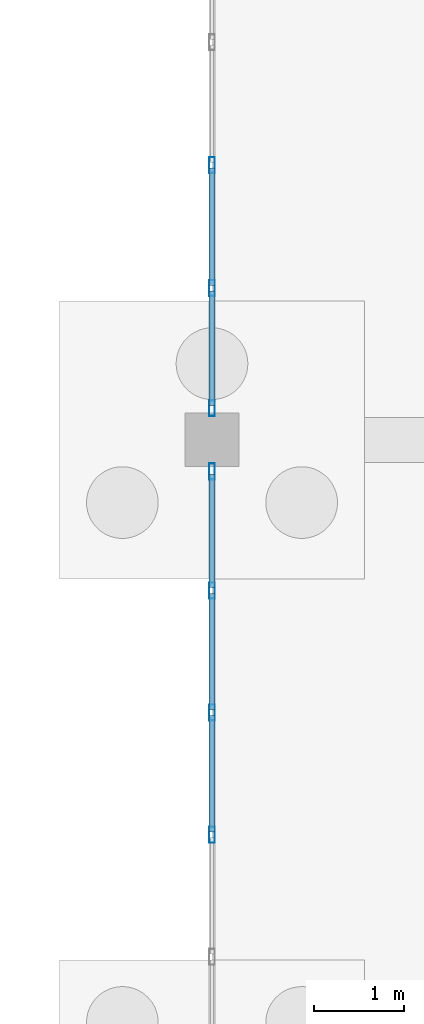
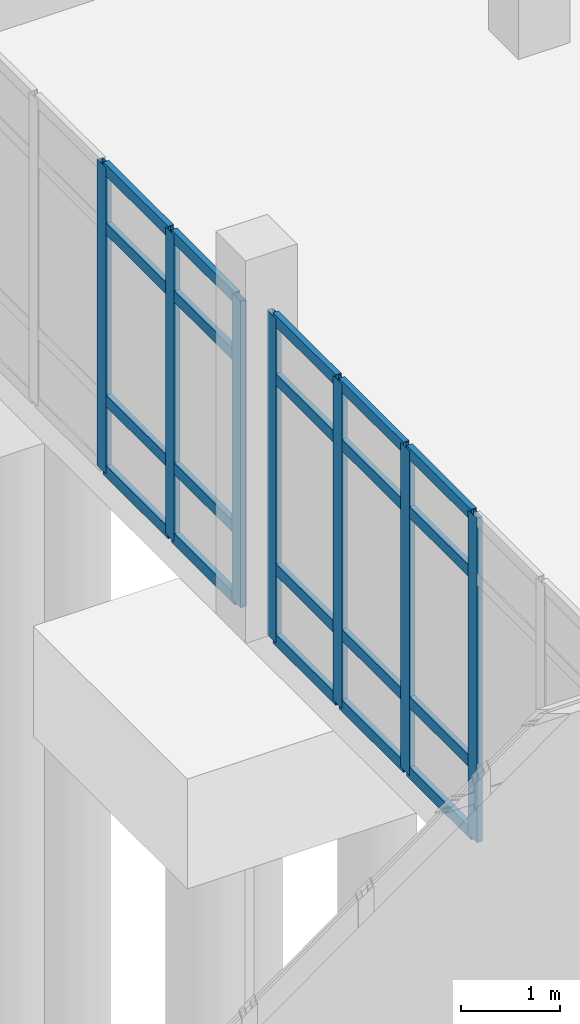
# One storey, part 43 of 173: 27 members, 2 elements without a shape of their own.
"""IFC4 building model written with IfcOpenShell, lengths in metres."""

from ifc_helpers import new_model, si_unit, direction, frame, origin, origin_2d, place, context, subcontext, project, spatial, hollow_rectangle, extrude, material, layer, layer_set, material_profile, profile_set, type_object, element, aggregate, save


model = new_model("IFC4")

# Units and contexts
model_context = context("Model", 3, precision=1e-05, world=origin(), true_north=direction((0.0, 1.0)))
body_context = subcontext(model_context, "Body", "Model", "MODEL_VIEW")
ifc_project = project(units=[si_unit("LENGTHUNIT", "METRE"), si_unit("AREAUNIT", "SQUARE_METRE"), si_unit("VOLUMEUNIT", "CUBIC_METRE"), si_unit("PLANEANGLEUNIT", "RADIAN"), si_unit("MASSUNIT", "GRAM", prefix="KILO")], contexts=[model_context])

# Site, building, storey
site_placement = place(None, origin())
site = spatial("IfcSite", under=ifc_project, at=site_placement, CompositionType="ELEMENT")
building_placement = place(site_placement, origin())
building = spatial("IfcBuilding", under=site, at=building_placement, Name="Mawjan Specialist Oncology Clinic", CompositionType="ELEMENT")
storey_placement = place(building_placement, origin())
storey = spatial("IfcBuildingStorey", under=building, at=storey_placement, Name="L00", CompositionType="ELEMENT", Elevation=0.0)

# Curtain wall, members
ifc_material_1 = material(Name="Unitised spectrally selective aluminium curtain wall", Category="aluminium")
ifc_layer_1 = layer(ifc_material_1, 0.179931640625, Name="Unitised spectrally selective aluminium curtain wall", Category="aluminium")
ifc_layer_set_1 = layer_set([ifc_layer_1], Name="Unitised spectrally selective aluminium curtain wall")
curtain_wall_type_1 = type_object("IfcCurtainWallType", Name="CW-01", PredefinedType="NOTDEFINED", material=ifc_layer_set_1)
curtain_wall_1_placement = place(storey_placement, origin())
curtain_wall_1 = element("IfcCurtainWall", 1, at=curtain_wall_1_placement, inside=storey, type_object=curtain_wall_type_1, Name="L00 Unitised Curtain Wall CW-L00-058", PredefinedType="NOTDEFINED")
ifc_material_2 = material(Name="Thermally broken aluminium 6063-T6", Category="aluminium")
ifc_material_profile_1 = material_profile(ifc_material_2, hollow_rectangle(XDim=0.06494140625, YDim=0.179931640625, WallThickness=0.00390625, at=origin_2d()), Name="ALU MULLION 180x65x4", Category="aluminium")
ifc_profile_set_1 = profile_set([ifc_material_profile_1], Name="Thermally broken aluminium 6063-T6")
member_type_1 = type_object("IfcMemberType", Name="CW-M180", PredefinedType="MULLION", material=ifc_profile_set_1)
member_1_placement = place(storey_placement, frame((30.0, 48.89404296875, 0.0), z_axis=(0.0, 0.0, 1.0), x_axis=(-1.0, 0.0, 0.0)))
member_1 = element("IfcMember", 2, at=member_1_placement, type_object=member_type_1, Name="CW-01 mullion 3", PredefinedType="MULLION", context=body_context, shape_type="SweptSolid", body=[
    extrude(hollow_rectangle(XDim=0.06494140625, YDim=0.179931640625, WallThickness=0.00390625, at=origin_2d()), origin(), (0.0, 0.0, 1.0), 3.985107421875),
])
member_2_placement = place(storey_placement, frame((30.0, 50.256103515625, 0.0), z_axis=(0.0, 0.0, 1.0), x_axis=(-1.0, 0.0, 0.0)))
member_2 = element("IfcMember", 3, at=member_2_placement, type_object=member_type_1, Name="CW-01 mullion 4", PredefinedType="MULLION", context=body_context, shape_type="SweptSolid", body=[
    extrude(hollow_rectangle(XDim=0.06494140625, YDim=0.179931640625, WallThickness=0.00390625, at=origin_2d()), origin(), (0.0, 0.0, 1.0), 3.985107421875),
])
member_3_placement = place(storey_placement, frame((30.0, 51.617919921875, 0.0), z_axis=(0.0, 0.0, 1.0), x_axis=(-1.0, 0.0, 0.0)))
member_3 = element("IfcMember", 4, at=member_3_placement, type_object=member_type_1, Name="CW-01 mullion 5", PredefinedType="MULLION", context=body_context, shape_type="SweptSolid", body=[
    extrude(hollow_rectangle(XDim=0.06494140625, YDim=0.179931640625, WallThickness=0.00390625, at=origin_2d()), origin(), (0.0, 0.0, 1.0), 3.985107421875),
])
member_4_placement = place(storey_placement, frame((30.0, 52.947509765625, 0.0), z_axis=(0.0, 0.0, 1.0), x_axis=(-1.0, 0.0, 0.0)))
member_4 = element("IfcMember", 5, at=member_4_placement, type_object=member_type_1, Name="CW-01 mullion 6", PredefinedType="MULLION", context=body_context, shape_type="SweptSolid", body=[
    extrude(hollow_rectangle(XDim=0.06494140625, YDim=0.179931640625, WallThickness=0.00390625, at=origin_2d()), origin(), (0.0, 0.0, 1.0), 3.985107421875),
])

ifc_material_3 = material(Name="Unitised spectrally selective aluminium curtain wall", Category="aluminium")
ifc_layer_2 = layer(ifc_material_3, 0.179931640625, Name="Unitised spectrally selective aluminium curtain wall", Category="aluminium")
ifc_layer_set_2 = layer_set([ifc_layer_2], Name="Unitised spectrally selective aluminium curtain wall")
curtain_wall_type_2 = type_object("IfcCurtainWallType", Name="CW-05", PredefinedType="NOTDEFINED", material=ifc_layer_set_2)
curtain_wall_2_placement = place(storey_placement, origin())
curtain_wall_2 = element("IfcCurtainWall", 6, at=curtain_wall_2_placement, inside=storey, type_object=curtain_wall_type_2, Name="L00 Unitised Curtain Wall CW-L00-059", PredefinedType="NOTDEFINED")
member_5_placement = place(storey_placement, frame((30.0, 53.652587890625, 0.0), z_axis=(0.0, 0.0, 1.0), x_axis=(-1.0, 0.0, 0.0)))
member_5 = element("IfcMember", 7, at=member_5_placement, type_object=member_type_1, Name="CW-05 mullion 1", PredefinedType="MULLION", context=body_context, shape_type="SweptSolid", body=[
    extrude(hollow_rectangle(XDim=0.06494140625, YDim=0.179931640625, WallThickness=0.00390625, at=origin_2d()), origin(), (0.0, 0.0, 1.0), 3.764892578125),
])
member_6_placement = place(storey_placement, frame((30.0, 54.991943359375, 0.0), z_axis=(0.0, 0.0, 1.0), x_axis=(-1.0, 0.0, 0.0)))
member_6 = element("IfcMember", 8, at=member_6_placement, type_object=member_type_1, Name="CW-05 mullion 2", PredefinedType="MULLION", context=body_context, shape_type="SweptSolid", body=[
    extrude(hollow_rectangle(XDim=0.06494140625, YDim=0.179931640625, WallThickness=0.00390625, at=origin_2d()), origin(), (0.0, 0.0, 1.0), 3.764892578125),
])
member_7_placement = place(storey_placement, frame((30.0, 56.364013671875, 0.0), z_axis=(0.0, 0.0, 1.0), x_axis=(-1.0, 0.0, 0.0)))
member_7 = element("IfcMember", 9, at=member_7_placement, type_object=member_type_1, Name="CW-05 mullion 3", PredefinedType="MULLION", context=body_context, shape_type="SweptSolid", body=[
    extrude(hollow_rectangle(XDim=0.06494140625, YDim=0.179931640625, WallThickness=0.00390625, at=origin_2d()), origin(), (0.0, 0.0, 1.0), 3.764892578125),
])

# Member
ifc_material_4 = material(Name="Thermally broken aluminium 6063-T6", Category="aluminium")
ifc_material_profile_2 = material_profile(ifc_material_4, hollow_rectangle(XDim=0.06494140625, YDim=0.139892578125, WallThickness=0.00390625, at=origin_2d()), Name="ALU TRANSOM 140x65x4", Category="aluminium")
ifc_profile_set_2 = profile_set([ifc_material_profile_2], Name="Thermally broken aluminium 6063-T6")
member_type_2 = type_object("IfcMemberType", Name="CW-T140", PredefinedType="USERDEFINED", material=ifc_profile_set_2)
member_8_placement = place(storey_placement, frame((30.0, 48.926513671875, 0.032470703125), z_axis=(0.0, 1.0, 0.0), x_axis=(-1.0, 0.0, 0.0)))
member_8 = element("IfcMember", 10, at=member_8_placement, type_object=member_type_2, Name="CW-01 transom 3.1", ObjectType="TRANSOM", PredefinedType="USERDEFINED", context=body_context, shape_type="SweptSolid", body=[
    extrude(hollow_rectangle(XDim=0.06494140625, YDim=0.139892578125, WallThickness=0.00390625, at=origin_2d()), origin(), (0.0, 0.0, 1.0), 1.296875),
])

member_9_placement = place(storey_placement, frame((30.0, 48.926513671875, 0.89990234375), z_axis=(0.0, 1.0, 0.0), x_axis=(-1.0, 0.0, 0.0)))
member_9 = element("IfcMember", 11, at=member_9_placement, type_object=member_type_2, Name="CW-01 transom 3.2", ObjectType="TRANSOM", PredefinedType="USERDEFINED", context=body_context, shape_type="SweptSolid", body=[
    extrude(hollow_rectangle(XDim=0.06494140625, YDim=0.139892578125, WallThickness=0.00390625, at=origin_2d()), origin(), (0.0, 0.0, 1.0), 1.296875),
])

member_10_placement = place(storey_placement, frame((30.0, 48.926513671875, 3.235107421875), z_axis=(0.0, 1.0, 0.0), x_axis=(-1.0, 0.0, 0.0)))
member_10 = element("IfcMember", 12, at=member_10_placement, type_object=member_type_2, Name="CW-01 transom 3.3", ObjectType="TRANSOM", PredefinedType="USERDEFINED", context=body_context, shape_type="SweptSolid", body=[
    extrude(hollow_rectangle(XDim=0.06494140625, YDim=0.139892578125, WallThickness=0.00390625, at=origin_2d()), origin(), (0.0, 0.0, 1.0), 1.296875),
])

member_11_placement = place(storey_placement, frame((30.0, 48.926513671875, 3.952392578125), z_axis=(0.0, 1.0, 0.0), x_axis=(-1.0, 0.0, 0.0)))
member_11 = element("IfcMember", 13, at=member_11_placement, type_object=member_type_2, Name="CW-01 transom 3.4", ObjectType="TRANSOM", PredefinedType="USERDEFINED", context=body_context, shape_type="SweptSolid", body=[
    extrude(hollow_rectangle(XDim=0.06494140625, YDim=0.139892578125, WallThickness=0.00390625, at=origin_2d()), origin(), (0.0, 0.0, 1.0), 1.296875),
])

member_12_placement = place(storey_placement, frame((30.0, 50.28857421875, 0.032470703125), z_axis=(0.0, 1.0, 0.0), x_axis=(-1.0, 0.0, 0.0)))
member_12 = element("IfcMember", 14, at=member_12_placement, type_object=member_type_2, Name="CW-01 transom 4.1", ObjectType="TRANSOM", PredefinedType="USERDEFINED", context=body_context, shape_type="SweptSolid", body=[
    extrude(hollow_rectangle(XDim=0.06494140625, YDim=0.139892578125, WallThickness=0.00390625, at=origin_2d()), origin(), (0.0, 0.0, 1.0), 1.296875),
])

member_13_placement = place(storey_placement, frame((30.0, 50.28857421875, 0.89990234375), z_axis=(0.0, 1.0, 0.0), x_axis=(-1.0, 0.0, 0.0)))
member_13 = element("IfcMember", 15, at=member_13_placement, type_object=member_type_2, Name="CW-01 transom 4.2", ObjectType="TRANSOM", PredefinedType="USERDEFINED", context=body_context, shape_type="SweptSolid", body=[
    extrude(hollow_rectangle(XDim=0.06494140625, YDim=0.139892578125, WallThickness=0.00390625, at=origin_2d()), origin(), (0.0, 0.0, 1.0), 1.296875),
])

member_14_placement = place(storey_placement, frame((30.0, 50.28857421875, 3.235107421875), z_axis=(0.0, 1.0, 0.0), x_axis=(-1.0, 0.0, 0.0)))
member_14 = element("IfcMember", 16, at=member_14_placement, type_object=member_type_2, Name="CW-01 transom 4.3", ObjectType="TRANSOM", PredefinedType="USERDEFINED", context=body_context, shape_type="SweptSolid", body=[
    extrude(hollow_rectangle(XDim=0.06494140625, YDim=0.139892578125, WallThickness=0.00390625, at=origin_2d()), origin(), (0.0, 0.0, 1.0), 1.296875),
])

member_15_placement = place(storey_placement, frame((30.0, 50.28857421875, 3.952392578125), z_axis=(0.0, 1.0, 0.0), x_axis=(-1.0, 0.0, 0.0)))
member_15 = element("IfcMember", 17, at=member_15_placement, type_object=member_type_2, Name="CW-01 transom 4.4", ObjectType="TRANSOM", PredefinedType="USERDEFINED", context=body_context, shape_type="SweptSolid", body=[
    extrude(hollow_rectangle(XDim=0.06494140625, YDim=0.139892578125, WallThickness=0.00390625, at=origin_2d()), origin(), (0.0, 0.0, 1.0), 1.296875),
])

member_16_placement = place(storey_placement, frame((30.0, 51.650390625, 0.032470703125), z_axis=(0.0, 1.0, 0.0), x_axis=(-1.0, 0.0, 0.0)))
member_16 = element("IfcMember", 18, at=member_16_placement, type_object=member_type_2, Name="CW-01 transom 5.1", ObjectType="TRANSOM", PredefinedType="USERDEFINED", context=body_context, shape_type="SweptSolid", body=[
    extrude(hollow_rectangle(XDim=0.06494140625, YDim=0.139892578125, WallThickness=0.00390625, at=origin_2d()), origin(), (0.0, 0.0, 1.0), 1.2646484375),
])

member_17_placement = place(storey_placement, frame((30.0, 51.650390625, 0.89990234375), z_axis=(0.0, 1.0, 0.0), x_axis=(-1.0, 0.0, 0.0)))
member_17 = element("IfcMember", 19, at=member_17_placement, type_object=member_type_2, Name="CW-01 transom 5.2", ObjectType="TRANSOM", PredefinedType="USERDEFINED", context=body_context, shape_type="SweptSolid", body=[
    extrude(hollow_rectangle(XDim=0.06494140625, YDim=0.139892578125, WallThickness=0.00390625, at=origin_2d()), origin(), (0.0, 0.0, 1.0), 1.2646484375),
])

member_18_placement = place(storey_placement, frame((30.0, 51.650390625, 3.235107421875), z_axis=(0.0, 1.0, 0.0), x_axis=(-1.0, 0.0, 0.0)))
member_18 = element("IfcMember", 20, at=member_18_placement, type_object=member_type_2, Name="CW-01 transom 5.3", ObjectType="TRANSOM", PredefinedType="USERDEFINED", context=body_context, shape_type="SweptSolid", body=[
    extrude(hollow_rectangle(XDim=0.06494140625, YDim=0.139892578125, WallThickness=0.00390625, at=origin_2d()), origin(), (0.0, 0.0, 1.0), 1.2646484375),
])

member_19_placement = place(storey_placement, frame((30.0, 51.650390625, 3.952392578125), z_axis=(0.0, 1.0, 0.0), x_axis=(-1.0, 0.0, 0.0)))
member_19 = element("IfcMember", 21, at=member_19_placement, type_object=member_type_2, Name="CW-01 transom 5.4", ObjectType="TRANSOM", PredefinedType="USERDEFINED", context=body_context, shape_type="SweptSolid", body=[
    extrude(hollow_rectangle(XDim=0.06494140625, YDim=0.139892578125, WallThickness=0.00390625, at=origin_2d()), origin(), (0.0, 0.0, 1.0), 1.2646484375),
])

aggregate(curtain_wall_1, [member_1, member_2, member_3, member_4, member_8, member_9, member_10, member_11, member_12, member_13, member_14, member_15, member_16, member_17, member_18, member_19])

member_20_placement = place(storey_placement, frame((30.0, 53.68505859375, 0.032470703125), z_axis=(0.0, 1.0, 0.0), x_axis=(-1.0, 0.0, 0.0)))
member_20 = element("IfcMember", 22, at=member_20_placement, type_object=member_type_2, Name="CW-05 transom 1.1", ObjectType="TRANSOM", PredefinedType="USERDEFINED", context=body_context, shape_type="SweptSolid", body=[
    extrude(hollow_rectangle(XDim=0.06494140625, YDim=0.139892578125, WallThickness=0.00390625, at=origin_2d()), origin(), (0.0, 0.0, 1.0), 1.2744140625),
])

member_21_placement = place(storey_placement, frame((30.0, 53.68505859375, 0.89990234375), z_axis=(0.0, 1.0, 0.0), x_axis=(-1.0, 0.0, 0.0)))
member_21 = element("IfcMember", 23, at=member_21_placement, type_object=member_type_2, Name="CW-05 transom 1.2", ObjectType="TRANSOM", PredefinedType="USERDEFINED", context=body_context, shape_type="SweptSolid", body=[
    extrude(hollow_rectangle(XDim=0.06494140625, YDim=0.139892578125, WallThickness=0.00390625, at=origin_2d()), origin(), (0.0, 0.0, 1.0), 1.2744140625),
])

member_22_placement = place(storey_placement, frame((30.0, 53.68505859375, 3.014892578125), z_axis=(0.0, 1.0, 0.0), x_axis=(-1.0, 0.0, 0.0)))
member_22 = element("IfcMember", 24, at=member_22_placement, type_object=member_type_2, Name="CW-05 transom 1.3", ObjectType="TRANSOM", PredefinedType="USERDEFINED", context=body_context, shape_type="SweptSolid", body=[
    extrude(hollow_rectangle(XDim=0.06494140625, YDim=0.139892578125, WallThickness=0.00390625, at=origin_2d()), origin(), (0.0, 0.0, 1.0), 1.2744140625),
])

member_23_placement = place(storey_placement, frame((30.0, 53.68505859375, 3.732421875), z_axis=(0.0, 1.0, 0.0), x_axis=(-1.0, 0.0, 0.0)))
member_23 = element("IfcMember", 25, at=member_23_placement, type_object=member_type_2, Name="CW-05 transom 1.4", ObjectType="TRANSOM", PredefinedType="USERDEFINED", context=body_context, shape_type="SweptSolid", body=[
    extrude(hollow_rectangle(XDim=0.06494140625, YDim=0.139892578125, WallThickness=0.00390625, at=origin_2d()), origin(), (0.0, 0.0, 1.0), 1.2744140625),
])

member_24_placement = place(storey_placement, frame((30.0, 55.0244140625, 0.032470703125), z_axis=(0.0, 1.0, 0.0), x_axis=(-1.0, 0.0, 0.0)))
member_24 = element("IfcMember", 26, at=member_24_placement, type_object=member_type_2, Name="CW-05 transom 2.1", ObjectType="TRANSOM", PredefinedType="USERDEFINED", context=body_context, shape_type="SweptSolid", body=[
    extrude(hollow_rectangle(XDim=0.06494140625, YDim=0.139892578125, WallThickness=0.00390625, at=origin_2d()), origin(), (0.0, 0.0, 1.0), 1.30712890625),
])

member_25_placement = place(storey_placement, frame((30.0, 55.0244140625, 0.89990234375), z_axis=(0.0, 1.0, 0.0), x_axis=(-1.0, 0.0, 0.0)))
member_25 = element("IfcMember", 27, at=member_25_placement, type_object=member_type_2, Name="CW-05 transom 2.2", ObjectType="TRANSOM", PredefinedType="USERDEFINED", context=body_context, shape_type="SweptSolid", body=[
    extrude(hollow_rectangle(XDim=0.06494140625, YDim=0.139892578125, WallThickness=0.00390625, at=origin_2d()), origin(), (0.0, 0.0, 1.0), 1.30712890625),
])

member_26_placement = place(storey_placement, frame((30.0, 55.0244140625, 3.014892578125), z_axis=(0.0, 1.0, 0.0), x_axis=(-1.0, 0.0, 0.0)))
member_26 = element("IfcMember", 28, at=member_26_placement, type_object=member_type_2, Name="CW-05 transom 2.3", ObjectType="TRANSOM", PredefinedType="USERDEFINED", context=body_context, shape_type="SweptSolid", body=[
    extrude(hollow_rectangle(XDim=0.06494140625, YDim=0.139892578125, WallThickness=0.00390625, at=origin_2d()), origin(), (0.0, 0.0, 1.0), 1.30712890625),
])

member_27_placement = place(storey_placement, frame((30.0, 55.0244140625, 3.732421875), z_axis=(0.0, 1.0, 0.0), x_axis=(-1.0, 0.0, 0.0)))
member_27 = element("IfcMember", 29, at=member_27_placement, type_object=member_type_2, Name="CW-05 transom 2.4", ObjectType="TRANSOM", PredefinedType="USERDEFINED", context=body_context, shape_type="SweptSolid", body=[
    extrude(hollow_rectangle(XDim=0.06494140625, YDim=0.139892578125, WallThickness=0.00390625, at=origin_2d()), origin(), (0.0, 0.0, 1.0), 1.30712890625),
])

aggregate(curtain_wall_2, [member_5, member_6, member_7, member_20, member_21, member_22, member_23, member_24, member_25, member_26, member_27])

save(model, "model.ifc")
